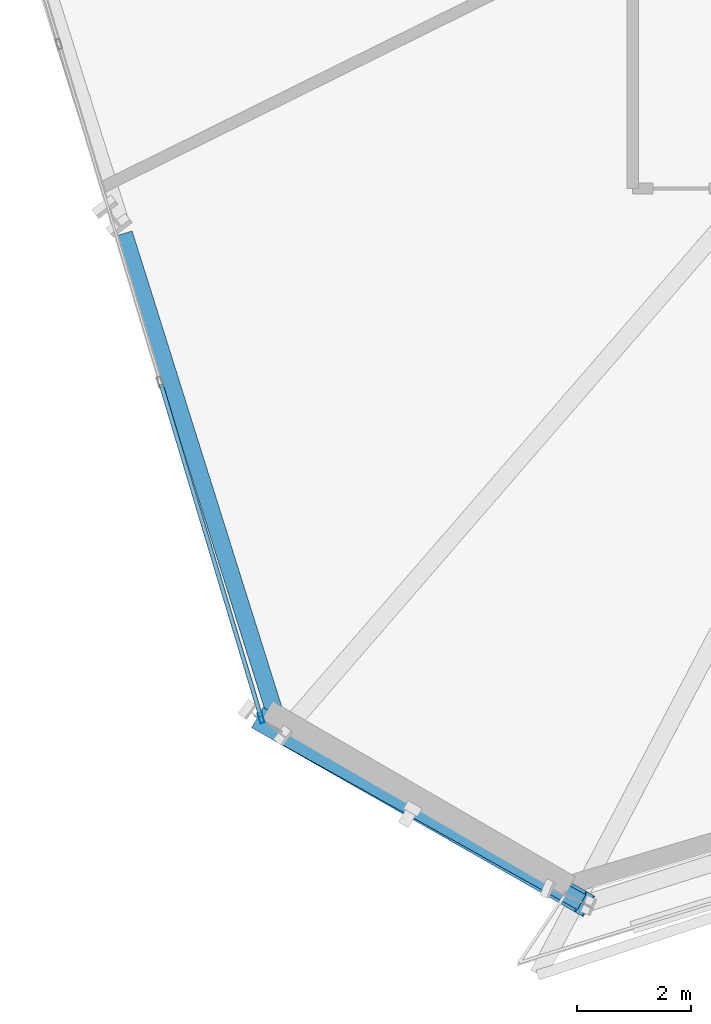
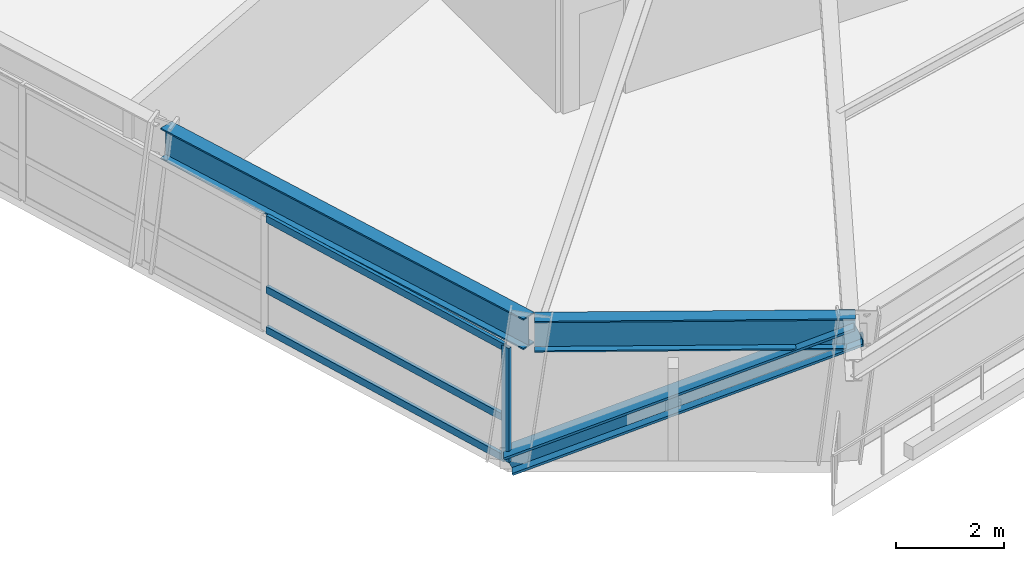
# One storey, part 2 of 22: 5 members, 2 beams, 1 element without a shape of its own.
"""IFC4 building model written with IfcOpenShell, lengths in metres."""

from ifc_helpers import new_model, si_unit, direction, frame, origin, origin_2d, place, context, subcontext, project, spatial, hollow_rectangle, i_section, extrude, source, transform, mapped, material, material_profile, profile_set, type_object, element, aggregate, save


model = new_model("IFC4")

# Units and contexts
model_context = context("Model", 3, precision=1e-05, world=origin(), true_north=direction((0.0, 1.0)))
body_context = subcontext(model_context, "Body", "Model", "MODEL_VIEW")
ifc_project = project(units=[si_unit("LENGTHUNIT", "METRE"), si_unit("AREAUNIT", "SQUARE_METRE"), si_unit("VOLUMEUNIT", "CUBIC_METRE"), si_unit("PLANEANGLEUNIT", "RADIAN"), si_unit("MASSUNIT", "GRAM", prefix="KILO")], contexts=[model_context])

# Site, building, storey
site_placement = place(None, origin())
site = spatial("IfcSite", under=ifc_project, at=site_placement, CompositionType="ELEMENT")
building_placement = place(site_placement, origin())
building = spatial("IfcBuilding", under=site, at=building_placement, Name="Olszyna Solenne Hotel", CompositionType="ELEMENT")
storey_placement = place(building_placement, frame((0.0, 0.0, 50.60009765625)))
storey = spatial("IfcBuildingStorey", under=building, at=storey_placement, Name="L12", CompositionType="ELEMENT", Elevation=50.60009765625)

# Beams
ifc_material_1 = material(Name="Steel S355J2", Category="steel")
ifc_material_profile_1 = material_profile(ifc_material_1, i_section(OverallWidth=0.300048828125, OverallDepth=0.699951171875, WebThickness=0.01708984375, FlangeThickness=0.031982421875, at=origin_2d()), Name="HEB 700", Category="load-bearing")
ifc_profile_set_1 = profile_set([ifc_material_profile_1], Name="Steel S355J2")
beam_type = type_object("IfcBeamType", Name="BM-S1", PredefinedType="BEAM", material=ifc_profile_set_1)
shared_shape_1 = source(origin(), body_context, "Body", "SweptSolid", [
    extrude(i_section(OverallWidth=0.300048828125, OverallDepth=0.699951171875, WebThickness=0.01708984375, FlangeThickness=0.031982421875, at=origin_2d()), origin(), (0.0, 0.0, 1.0), 9.1416015625),
])
beam_1_placement = place(storey_placement, frame((18.389404296875, 15.912109375, 2.949951171875), z_axis=(0.300077979777, -0.953914674409, 0.0), x_axis=(0.953914674409, 0.300077979777, 0.0)))
element("IfcBeam", 1, at=beam_1_placement, inside=storey, type_object=beam_type, Name="Perimeter spandrel beam BM-S1 B-L12-0384", PredefinedType="BEAM", context=body_context, shape_type="MappedRepresentation", body=[
    mapped(shared_shape_1, transform((0.0, 0.0, 0.0), x_axis=(1.0, 0.0, 0.0), y_axis=(0.0, 1.0, 0.0), z_axis=(0.0, 0.0, 1.0), scale=1.0)),
])
shared_shape_2 = source(origin(), body_context, "Body", "SweptSolid", [
    extrude(i_section(OverallWidth=0.300048828125, OverallDepth=0.699951171875, WebThickness=0.01708984375, FlangeThickness=0.031982421875, at=origin_2d()), origin(), (0.0, 0.0, 1.0), 5.960693359375),
])
beam_2_placement = place(storey_placement, frame((21.202880859375, 7.10546875, 2.949951171875), z_axis=(0.872929631254, -0.48784614263, 0.0), x_axis=(0.48784614263, 0.872929631254, 0.0)))
element("IfcBeam", 2, at=beam_2_placement, inside=storey, type_object=beam_type, Name="Perimeter spandrel beam BM-S1 B-L12-0385", PredefinedType="BEAM", context=body_context, shape_type="MappedRepresentation", body=[
    mapped(shared_shape_2, transform((0.0, 0.0, 0.0), x_axis=(1.0, 0.0, 0.0), y_axis=(0.0, 1.0, 0.0), z_axis=(0.0, 0.0, 1.0), scale=1.0)),
])

# Member
ifc_material_2 = material(Name="Steel S460M", Category="steel")
ifc_material_profile_2 = material_profile(ifc_material_2, i_section(OverallWidth=0.412109375, OverallDepth=0.43505859375, WebThickness=0.031494140625, FlangeThickness=0.050048828125, at=origin_2d()), Name="HD 400x463", Category="load-bearing")
ifc_profile_set_2 = profile_set([ifc_material_profile_2], Name="Steel S460M")
member_type_1 = type_object("IfcMemberType", Name="BR-T1", PredefinedType="BRACE", material=ifc_profile_set_2)
shared_shape_3 = source(origin(), body_context, "Body", "SweptSolid", [
    extrude(i_section(OverallWidth=0.412109375, OverallDepth=0.43505859375, WebThickness=0.031494140625, FlangeThickness=0.050048828125, at=origin_2d()), origin(), (0.0, 0.0, 1.0), 7.126708984375),
])
member_1_placement = place(storey_placement, frame((20.803466796875, 7.388671875, 0.010009765625), z_axis=(0.793522335457, -0.451880207521, 0.407586286793), x_axis=(0.494849635209, 0.868978617996, 0.0)))
element("IfcMember", 3, at=member_1_placement, inside=storey, type_object=member_type_1, Name="Perimeter braced-tube diagonal BR-T1 BR-L12-3", PredefinedType="BRACE", context=body_context, shape_type="MappedRepresentation", body=[
    mapped(shared_shape_3, transform((0.0, 0.0, 0.0), x_axis=(1.0, 0.0, 0.0), y_axis=(0.0, 1.0, 0.0), z_axis=(0.0, 0.0, 1.0), scale=1.0)),
])

# Curtain wall, members
ifc_material_3 = material(Name="Anodised bronze aluminium", Category="aluminium")
curtain_wall_type = type_object("IfcCurtainWallType", Name="CW-SYS-2", PredefinedType="NOTDEFINED", material=ifc_material_3)
curtain_wall_placement = place(storey_placement, origin())
curtain_wall = element("IfcCurtainWall", 4, at=curtain_wall_placement, inside=storey, type_object=curtain_wall_type, Name="Unitised curtain wall CW-SYS-2 CW-L12-01", PredefinedType="NOTDEFINED")
ifc_material_profile_3 = material_profile(ifc_material_3, hollow_rectangle(XDim=0.074951171875, YDim=0.179931640625, WallThickness=0.00439453125, at=origin_2d()), Name="MULL 180x75x4.5", Category="load-bearing")
ifc_profile_set_3 = profile_set([ifc_material_profile_3], Name="Anodised bronze aluminium")
member_type_2 = type_object("IfcMemberType", Name="CW-M2", PredefinedType="MULLION", material=ifc_profile_set_3)
shared_shape_4 = source(origin(), body_context, "Body", "SweptSolid", [
    extrude(hollow_rectangle(XDim=0.074951171875, YDim=0.179931640625, WallThickness=0.00439453125, at=origin_2d()), origin(), (0.0, 0.0, 1.0), 2.591796875),
])
member_2_placement = place(storey_placement, frame((20.792724609375, 7.424560546875, 0.0), z_axis=(0.0, 0.0, 1.0), x_axis=(0.957793182379, 0.287458205291, 0.0)))
member_2 = element("IfcMember", 5, at=member_2_placement, type_object=member_type_2, Name="Curtain-wall mullion CW-M2 CM-L12-01-04", PredefinedType="MULLION", context=body_context, shape_type="MappedRepresentation", body=[
    mapped(shared_shape_4, transform((0.0, 0.0, 0.0), x_axis=(1.0, 0.0, 0.0), y_axis=(0.0, 1.0, 0.0), z_axis=(0.0, 0.0, 1.0), scale=1.0)),
])
ifc_material_profile_4 = material_profile(ifc_material_3, hollow_rectangle(XDim=0.074951171875, YDim=0.159912109375, WallThickness=0.00390625, at=origin_2d()), Name="TRAN 160x75x4", Category="load-bearing")
ifc_profile_set_4 = profile_set([ifc_material_profile_4], Name="Anodised bronze aluminium")
member_type_3 = type_object("IfcMemberType", Name="CW-T1", PredefinedType="USERDEFINED", material=ifc_profile_set_4)
shared_shape_5 = source(origin(), body_context, "Body", "SweptSolid", [
    extrude(hollow_rectangle(XDim=0.074951171875, YDim=0.159912109375, WallThickness=0.00390625, at=origin_2d()), origin(), (0.0, 0.0, 1.0), 6.069091796875),
])
member_3_placement = place(storey_placement, frame((19.037353515625, 13.2734375, 0.037353515625), z_axis=(0.287458598796, -0.957793064278, 0.0), x_axis=(0.957793064278, 0.287458598796, 0.0)))
member_3 = element("IfcMember", 6, at=member_3_placement, type_object=member_type_3, Name="Curtain-wall transom CW-T1 CT-L12-01-07", ObjectType="TRANSOM", PredefinedType="USERDEFINED", context=body_context, shape_type="MappedRepresentation", body=[
    mapped(shared_shape_5, transform((0.0, 0.0, 0.0), x_axis=(1.0, 0.0, 0.0), y_axis=(0.0, 1.0, 0.0), z_axis=(0.0, 0.0, 1.0), scale=1.0)),
])
member_4_placement = place(storey_placement, frame((19.037353515625, 13.2734375, 0.949951171875), z_axis=(0.287458598796, -0.957793064278, 0.0), x_axis=(0.957793064278, 0.287458598796, 0.0)))
member_4 = element("IfcMember", 7, at=member_4_placement, type_object=member_type_3, Name="Curtain-wall transom CW-T1 CT-L12-01-08", ObjectType="TRANSOM", PredefinedType="USERDEFINED", context=body_context, shape_type="MappedRepresentation", body=[
    mapped(shared_shape_5, transform((0.0, 0.0, 0.0), x_axis=(1.0, 0.0, 0.0), y_axis=(0.0, 1.0, 0.0), z_axis=(0.0, 0.0, 1.0), scale=1.0)),
])
member_5_placement = place(storey_placement, frame((19.037353515625, 13.2734375, 2.554443359375), z_axis=(0.287458598796, -0.957793064278, 0.0), x_axis=(0.957793064278, 0.287458598796, 0.0)))
member_5 = element("IfcMember", 8, at=member_5_placement, type_object=member_type_3, Name="Curtain-wall transom CW-T1 CT-L12-01-09", ObjectType="TRANSOM", PredefinedType="USERDEFINED", context=body_context, shape_type="MappedRepresentation", body=[
    mapped(shared_shape_5, transform((0.0, 0.0, 0.0), x_axis=(1.0, 0.0, 0.0), y_axis=(0.0, 1.0, 0.0), z_axis=(0.0, 0.0, 1.0), scale=1.0)),
])
aggregate(curtain_wall, [member_2, member_3, member_4, member_5])

save(model, "model.ifc")
